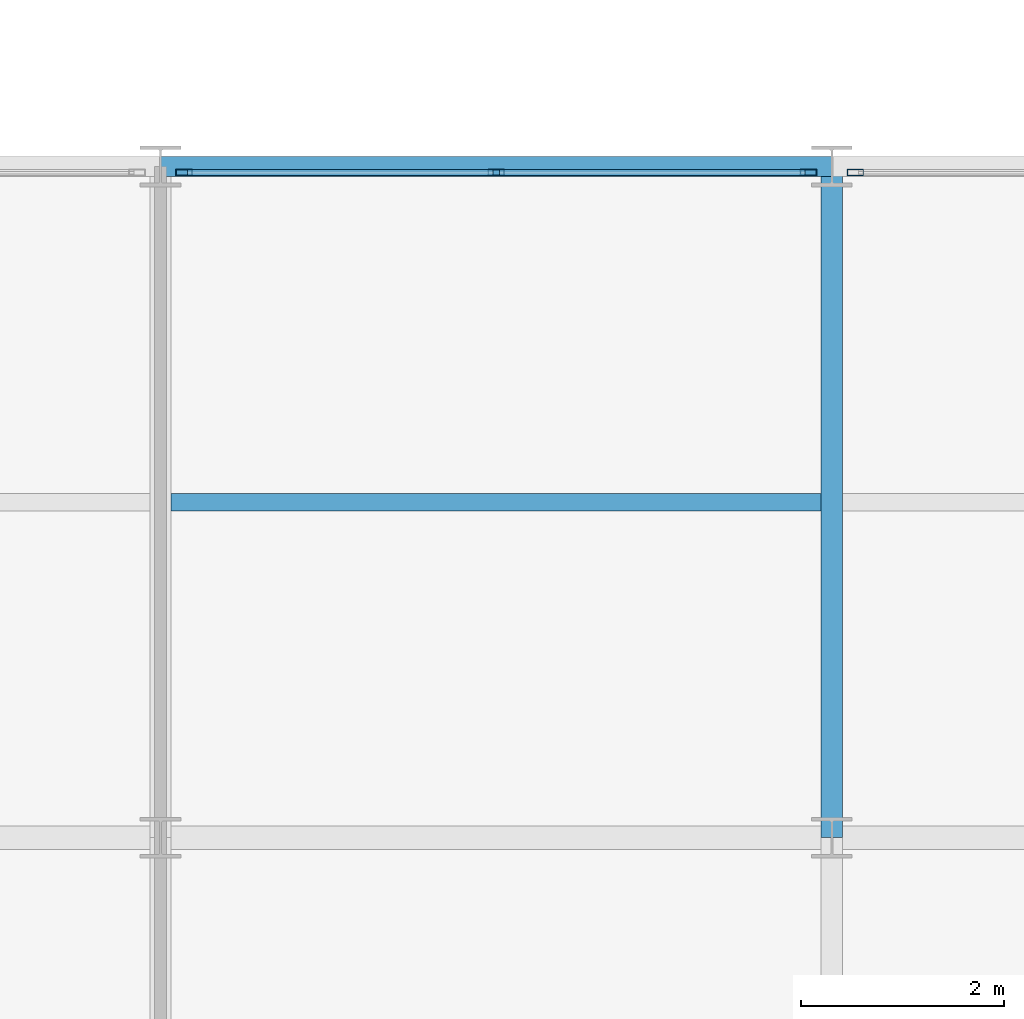
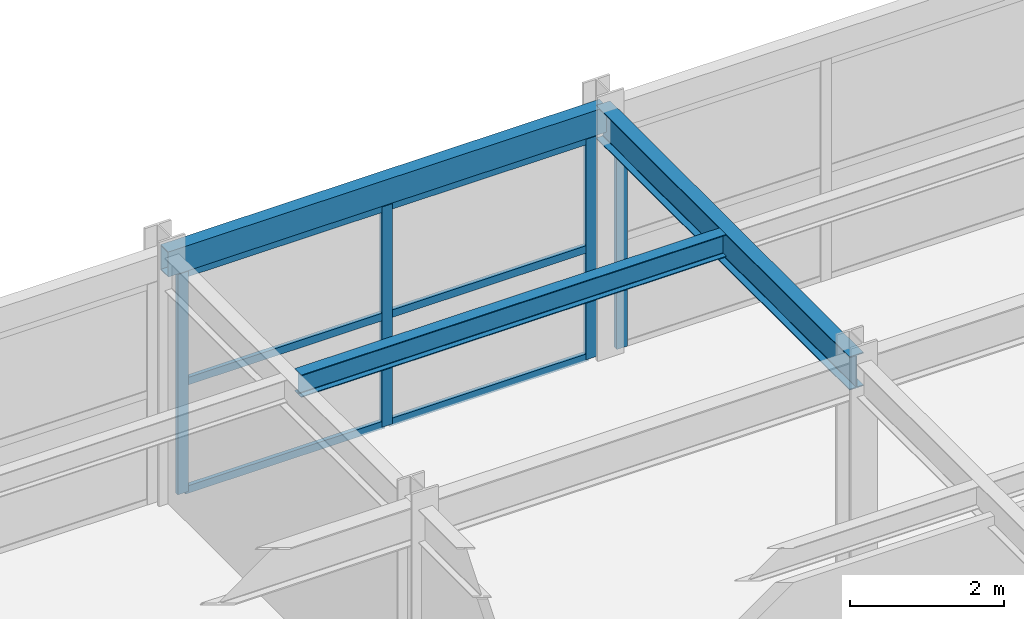
# One storey, part 67 of 157: 10 members, 3 beams, 2 elements without a shape of their own.
"""IFC4 building model written with IfcOpenShell, lengths in metres."""

import ifcopenshell
import ifcopenshell.guid

model = None  # the IFC model being written
_history = None  # IfcOwnerHistory: only IFC2X3 demands one
_inside = {}  # id of a spatial element -> (the spatial element, [elements in it])
_under = {}  # id of a project, library or spatial element -> (it, [spatial elements below it])
_declared = {}  # id of a project -> (the project, [libraries it declares])
_typed = {}  # id of a type object -> (the type object, [elements of that type])
_made_of = {}  # id of a material, layer set ... -> (it, [elements and type objects made of it])


def new_model(schema):
    """Start an empty IFC model of exactly this schema.

    Asked for "IFC4X3", IfcOpenShell would pick the latest addendum, in which some entities
    have other attributes; the version numbers below select the first issue.
    IFC2X3 requires an IfcOwnerHistory on every rooted entity: one is made here for all.
    """
    global model, _history
    if schema == "IFC4X3":
        model = ifcopenshell.file(schema_version=(4, 3, 0, 0))
    else:
        model = ifcopenshell.file(schema=schema)
    _inside.clear()
    _under.clear()
    _declared.clear()
    _typed.clear()
    _made_of.clear()
    _history = None
    if model.schema == "IFC2X3":
        org = make("IfcOrganization", Name="unknown")
        user = make(
            "IfcPersonAndOrganization",
            ThePerson=make("IfcPerson", FamilyName="unknown"),
            TheOrganization=org,
        )
        app = make(
            "IfcApplication",
            ApplicationDeveloper=org,
            Version="unknown",
            ApplicationFullName="unknown",
            ApplicationIdentifier="unknown",
        )
        _history = make(
            "IfcOwnerHistory",
            OwningUser=user,
            OwningApplication=app,
            ChangeAction="ADDED",
            CreationDate=0,
        )
    return model


def make(cls, **values):
    """One entity of the class cls with the attributes given. An attribute that is None is left unset."""
    return model.create_entity(
        cls, **{name: value for name, value in values.items() if value is not None}
    )


def rooted(cls, **values):
    """An entity with a GlobalId (a new one), such as an element, a storey or a relation."""
    return make(cls, GlobalId=ifcopenshell.guid.new(), OwnerHistory=_history, **values)


def si_unit(unit_type, name, prefix=None):
    """IfcSIUnit, for example si_unit("LENGTHUNIT", "METRE", prefix="MILLI")."""
    return make("IfcSIUnit", UnitType=unit_type, Prefix=prefix, Name=name)


def assignment(units):
    """IfcUnitAssignment: the units of a project."""
    return None if units is None else make("IfcUnitAssignment", Units=units)


def point(xyz):
    """IfcCartesianPoint."""
    return None if xyz is None else make("IfcCartesianPoint", Coordinates=xyz)


def direction(xyz):
    """IfcDirection."""
    return None if xyz is None else make("IfcDirection", DirectionRatios=xyz)


def frame(location, z_axis=None, x_axis=None):
    """IfcAxis2Placement3D, a coordinate frame: its origin and axes. An axis left out is left unset."""
    return make(
        "IfcAxis2Placement3D",
        Location=point(location),
        Axis=direction(z_axis),
        RefDirection=direction(x_axis),
    )


def frame_2d(location, x_axis=None):
    """IfcAxis2Placement2D, a coordinate frame in the plane: its origin and x axis."""
    return make(
        "IfcAxis2Placement2D", Location=point(location), RefDirection=direction(x_axis)
    )


def origin():
    """The frame at (0, 0, 0) with its axes left unset."""
    return frame((0.0, 0.0, 0.0))


def origin_2d():
    """The frame at (0, 0) in the plane with its x axis left unset."""
    return frame_2d((0.0, 0.0))


def place(relative_to, where):
    """IfcLocalPlacement: puts the frame where relative to a parent placement (None: the world)."""
    return make(
        "IfcLocalPlacement", PlacementRelTo=relative_to, RelativePlacement=where
    )


def context(
    kind, dimensions, precision=None, world=None, true_north=None, identifier=None
):
    """IfcGeometricRepresentationContext, for example the 3D "Model" context."""
    return make(
        "IfcGeometricRepresentationContext",
        ContextIdentifier=identifier,
        ContextType=kind,
        CoordinateSpaceDimension=dimensions,
        Precision=precision,
        WorldCoordinateSystem=world,
        TrueNorth=true_north,
    )


def subcontext(parent, identifier, kind, view, scale=None):
    """IfcGeometricRepresentationSubContext, for example "Body" below "Model"."""
    return make(
        "IfcGeometricRepresentationSubContext",
        ContextIdentifier=identifier,
        ContextType=kind,
        ParentContext=parent,
        TargetScale=scale,
        TargetView=view,
    )


def project(units=None, contexts=None):
    """IfcProject with its units and contexts."""
    return rooted(
        "IfcProject",
        Name="project",
        RepresentationContexts=contexts,
        UnitsInContext=assignment(units),
    )


def spatial(cls, under=None, at=None, **own):
    """A site, building, storey or space (cls), placed at a placement, below another one or the project."""
    s = rooted(cls, ObjectPlacement=at, **own)
    if under is not None:
        _under.setdefault(under.id(), (under, []))[1].append(s)
    return s


def profile(cls, at=None, kind="AREA", **sizes):
    """A parametric profile (cls). Its sizes go by their IFC names, for example OverallWidth=200.0."""
    return make(cls, ProfileType=kind, Position=at, **sizes)


def hollow_rectangle(**sizes):
    """IfcRectangleHollowProfileDef."""
    return profile("IfcRectangleHollowProfileDef", **sizes)


def i_section(**sizes):
    """IfcIShapeProfileDef."""
    return profile("IfcIShapeProfileDef", **sizes)


def extrude(swept, where, along, depth):
    """IfcExtrudedAreaSolid: the profile swept, set in the frame where, extruded along a direction by depth."""
    return make(
        "IfcExtrudedAreaSolid",
        SweptArea=swept,
        Position=where,
        ExtrudedDirection=direction(along),
        Depth=depth,
    )


def shape(context_of_items, identifier, shape_type, items):
    """IfcShapeRepresentation: the items that make up one representation, for example the "Body"."""
    return make(
        "IfcShapeRepresentation",
        ContextOfItems=context_of_items,
        RepresentationIdentifier=identifier,
        RepresentationType=shape_type,
        Items=items,
    )


def material(Name=None, Category=None):
    """IfcMaterial."""
    return make("IfcMaterial", Name=Name, Category=Category)


def material_profile(
    of_material, cross_section, Name=None, Category=None, Priority=None
):
    """IfcMaterialProfile: a cross section and its material."""
    return make(
        "IfcMaterialProfile",
        Name=Name,
        Material=of_material,
        Profile=cross_section,
        Priority=Priority,
        Category=Category,
    )


def profile_set(profiles, Name=None, composite=None):
    """IfcMaterialProfileSet."""
    return make(
        "IfcMaterialProfileSet",
        Name=Name,
        MaterialProfiles=profiles,
        CompositeProfile=composite,
    )


def made_of(thing, what):
    """Note that an element or type object is made of a material, layer set ...; save() writes the relation."""
    if what is not None:
        _made_of.setdefault(what.id(), (what, []))[1].append(thing)
    return thing


def type_object(cls, material=None, **own):
    """A type object (cls), such as IfcWallType, which elements share."""
    return made_of(rooted(cls, **own), material)


def element(
    cls,
    number,
    at=None,
    inside=None,
    cuts=None,
    type_object=None,
    material=None,
    context=None,
    identifier="Body",
    shape_type=None,
    held_by="IfcProductDefinitionShape",
    body=None,
    shapes=None,
    **own,
):
    """One element of the class cls, such as IfcWall. Its Tag is "e" and its number.

    at: its placement. inside: the storey or other place that contains it. cuts: it is an
    opening in that element (IfcRelVoidsElement). A single representation is given by context,
    identifier, shape_type and body (its items); several are given by shapes. held_by: the class
    of the entity that holds the representations. save() writes the other relations.
    """
    e = rooted(cls, Tag="e%d" % number, ObjectPlacement=at, **own)
    if body is not None:
        shapes = [shape(context, identifier, shape_type, body)]
    if shapes is not None:
        e.Representation = make(held_by, Representations=shapes)
    if inside is not None:
        _inside.setdefault(inside.id(), (inside, []))[1].append(e)
    if cuts is not None:
        rooted(
            "IfcRelVoidsElement", RelatingBuildingElement=cuts, RelatedOpeningElement=e
        )
    if type_object is not None:
        _typed.setdefault(type_object.id(), (type_object, []))[1].append(e)
    return made_of(e, material)


def aggregate(whole, parts):
    """IfcRelAggregates: a whole, such as a stair, and the parts it consists of."""
    return rooted("IfcRelAggregates", RelatingObject=whole, RelatedObjects=parts)


def save(model, path):
    """Write the relations noted so far, then the file.

    IfcRelAggregates (storeys below a building ...), IfcRelContainedInSpatialStructure (elements
    in a storey), IfcRelDefinesByType, IfcRelAssociatesMaterial and IfcRelDeclares: one each for
    every whole, place, type object, material and project.
    """
    for whole, parts in _under.values():
        aggregate(whole, parts)
    for where, things in _inside.values():
        rooted(
            "IfcRelContainedInSpatialStructure",
            RelatedElements=things,
            RelatingStructure=where,
        )
    for kind, things in _typed.values():
        rooted("IfcRelDefinesByType", RelatedObjects=things, RelatingType=kind)
    for what, things in _made_of.values():
        rooted("IfcRelAssociatesMaterial", RelatedObjects=things, RelatingMaterial=what)
    for by, libraries in _declared.values():
        rooted("IfcRelDeclares", RelatingContext=by, RelatedDefinitions=libraries)
    model.write(path)


model = new_model("IFC4")

# Units and contexts
model_context = context("Model", 3, precision=1e-05, world=origin(), true_north=direction((0.0, 1.0)))
body_context = subcontext(model_context, "Body", "Model", "MODEL_VIEW")
ifc_project = project(units=[si_unit("LENGTHUNIT", "METRE"), si_unit("AREAUNIT", "SQUARE_METRE"), si_unit("VOLUMEUNIT", "CUBIC_METRE"), si_unit("PLANEANGLEUNIT", "RADIAN"), si_unit("MASSUNIT", "GRAM", prefix="KILO")], contexts=[model_context])

# Site, building, storey
site_placement = place(None, origin())
site = spatial("IfcSite", under=ifc_project, at=site_placement, CompositionType="ELEMENT")
building_placement = place(site_placement, origin())
building = spatial("IfcBuilding", under=site, at=building_placement, Name="Karori Crest Natural Sciences Institute", CompositionType="ELEMENT")
storey_placement = place(building_placement, frame((0.0, 0.0, 13.300048828125)))
storey = spatial("IfcBuildingStorey", under=building, at=storey_placement, Name="L03", CompositionType="ELEMENT", Elevation=13.300048828125)

# Beams
ifc_material_1 = material(Name="Structural steel AS/NZS 3679.1 Grade 350", Category="steel")
ifc_material_profile_1 = material_profile(ifc_material_1, i_section(OverallWidth=0.208984375, OverallDepth=0.532958984375, WebThickness=0.01025390625, FlangeThickness=0.015625, FilletRadius=0.013916015625, at=origin_2d()), Name="530UB92.4")
ifc_profile_set_1 = profile_set([ifc_material_profile_1], Name="Structural steel AS/NZS 3679.1 Grade 350")
beam_type_1 = type_object("IfcBeamType", Name="BT-05", PredefinedType="BEAM", material=ifc_profile_set_1)
beam_1_placement = place(storey_placement, frame((123.39990234375, 14.0, 3.653564453125), z_axis=(0.0, 1.0, 0.0), x_axis=(-1.0, 0.0, 0.0)))
element("IfcBeam", 1, at=beam_1_placement, inside=storey, type_object=beam_type_1, Name="Beam B-2326", PredefinedType="BEAM", context=body_context, shape_type="SweptSolid", body=[
    extrude(i_section(OverallWidth=0.208984375, OverallDepth=0.532958984375, WebThickness=0.01025390625, FlangeThickness=0.015625, FilletRadius=0.013916015625, at=origin_2d()), origin(), (0.0, 0.0, 1.0), 6.60009765625),
])
ifc_material_profile_2 = material_profile(ifc_material_1, i_section(OverallWidth=0.172119140625, OverallDepth=0.35888671875, WebThickness=0.008056640625, FlangeThickness=0.012939453125, FilletRadius=0.010986328125, at=origin_2d()), Name="360UB56.7")
ifc_profile_set_2 = profile_set([ifc_material_profile_2], Name="Structural steel AS/NZS 3679.1 Grade 350")
beam_type_2 = type_object("IfcBeamType", Name="BT-08", PredefinedType="BEAM", material=ifc_profile_set_2)
beam_2_placement = place(storey_placement, frame((116.904541015625, 17.300048828125, 3.740478515625), z_axis=(1.0, 0.0, 0.0), x_axis=(0.0, 1.0, 0.0)))
element("IfcBeam", 2, at=beam_2_placement, inside=storey, type_object=beam_type_2, Name="Beam B-2351", PredefinedType="BEAM", context=body_context, shape_type="SweptSolid", body=[
    extrude(i_section(OverallWidth=0.172119140625, OverallDepth=0.35888671875, WebThickness=0.008056640625, FlangeThickness=0.012939453125, FilletRadius=0.010986328125, at=origin_2d()), origin(), (0.0, 0.0, 1.0), 6.390869140625),
])
ifc_material_2 = material(Name="Hollow structural steel AS/NZS 1163 Grade C350", Category="steel")
ifc_material_profile_3 = material_profile(ifc_material_2, hollow_rectangle(XDim=0.199951171875, YDim=0.39990234375, WallThickness=0.012451171875, at=origin_2d()), Name="RHS400x200x12.5")
ifc_profile_set_3 = profile_set([ifc_material_profile_3], Name="Hollow structural steel AS/NZS 1163 Grade C350")
beam_type_3 = type_object("IfcBeamType", Name="BT-14", PredefinedType="SPANDREL", material=ifc_profile_set_3)
beam_3_placement = place(storey_placement, frame((116.800048828125, 20.60009765625, 3.719970703125), z_axis=(1.0, 0.0, 0.0), x_axis=(0.0, 1.0, 0.0)))
element("IfcBeam", 3, at=beam_3_placement, inside=storey, type_object=beam_type_3, Name="Beam B-2308", PredefinedType="SPANDREL", context=body_context, shape_type="SweptSolid", body=[
    extrude(hollow_rectangle(XDim=0.199951171875, YDim=0.39990234375, WallThickness=0.012451171875, at=origin_2d()), origin(), (0.0, 0.0, 1.0), 6.599853515625),
])

# Curtain wall, members
ifc_material_3 = material(Name="Anodised architectural aluminium 6063-T6", Category="aluminium")
curtain_wall_type = type_object("IfcCurtainWallType", Name="CWT-20", PredefinedType="NOTDEFINED", material=ifc_material_3)
curtain_wall_1_placement = place(storey_placement, origin())
curtain_wall_1 = element("IfcCurtainWall", 4, at=curtain_wall_1_placement, inside=storey, type_object=curtain_wall_type, Name="Curtain wall CW-0324", PredefinedType="NOTDEFINED")
ifc_material_profile_4 = material_profile(ifc_material_3, hollow_rectangle(XDim=0.06494140625, YDim=0.159912109375, WallThickness=0.00390625, at=origin_2d()), Name="CWM160x65x4")
ifc_profile_set_4 = profile_set([ifc_material_profile_4], Name="Anodised architectural aluminium 6063-T6")
member_type_1 = type_object("IfcMemberType", Name="CWM-01", PredefinedType="MULLION", material=ifc_profile_set_4)
member_1_placement = place(storey_placement, frame((117.030517578125, 20.5400390625, 0.0), z_axis=(0.0, 0.0, 1.0), x_axis=(0.0, 1.0, 0.0)))
member_1 = element("IfcMember", 5, at=member_1_placement, type_object=member_type_1, Name="CW-0324 mullion 1", PredefinedType="MULLION", context=body_context, shape_type="SweptSolid", body=[
    extrude(hollow_rectangle(XDim=0.06494140625, YDim=0.159912109375, WallThickness=0.00390625, at=origin_2d()), origin(), (0.0, 0.0, 1.0), 3.5048828125),
])
member_2_placement = place(storey_placement, frame((120.10009765625, 20.5400390625, 0.0), z_axis=(0.0, 0.0, 1.0), x_axis=(0.0, 1.0, 0.0)))
member_2 = element("IfcMember", 6, at=member_2_placement, type_object=member_type_1, Name="CW-0324 mullion 2", PredefinedType="MULLION", context=body_context, shape_type="SweptSolid", body=[
    extrude(hollow_rectangle(XDim=0.06494140625, YDim=0.159912109375, WallThickness=0.00390625, at=origin_2d()), origin(), (0.0, 0.0, 1.0), 3.5048828125),
])
member_3_placement = place(storey_placement, frame((123.16943359375, 20.5400390625, 0.0), z_axis=(0.0, 0.0, 1.0), x_axis=(0.0, 1.0, 0.0)))
member_3 = element("IfcMember", 7, at=member_3_placement, type_object=member_type_1, Name="CW-0324 mullion 3", PredefinedType="MULLION", context=body_context, shape_type="SweptSolid", body=[
    extrude(hollow_rectangle(XDim=0.06494140625, YDim=0.159912109375, WallThickness=0.00390625, at=origin_2d()), origin(), (0.0, 0.0, 1.0), 3.5048828125),
])

# Curtain wall, member
curtain_wall_2_placement = place(storey_placement, origin())
curtain_wall_2 = element("IfcCurtainWall", 8, at=curtain_wall_2_placement, inside=storey, type_object=curtain_wall_type, Name="Curtain wall CW-0325", PredefinedType="NOTDEFINED")
member_4_placement = place(storey_placement, frame((123.630615234375, 20.5400390625, 0.0), z_axis=(0.0, 0.0, 1.0), x_axis=(0.0, 1.0, 0.0)))
member_4 = element("IfcMember", 9, at=member_4_placement, type_object=member_type_1, Name="CW-0325 mullion 1", PredefinedType="MULLION", context=body_context, shape_type="SweptSolid", body=[
    extrude(hollow_rectangle(XDim=0.06494140625, YDim=0.159912109375, WallThickness=0.00390625, at=origin_2d()), origin(), (0.0, 0.0, 1.0), 3.5048828125),
])
aggregate(curtain_wall_2, [member_4])

# Member
ifc_material_profile_5 = material_profile(ifc_material_3, hollow_rectangle(XDim=0.06005859375, YDim=0.1201171875, WallThickness=0.00390625, at=origin_2d()), Name="CWT120x60x4")
ifc_profile_set_5 = profile_set([ifc_material_profile_5], Name="Anodised architectural aluminium 6063-T6")
member_type_2 = type_object("IfcMemberType", Name="CWT-TR1", PredefinedType="USERDEFINED", material=ifc_profile_set_5)
member_5_placement = place(storey_placement, frame((117.06298828125, 20.5400390625, 0.030029296875), z_axis=(1.0, 0.0, 0.0), x_axis=(0.0, 1.0, 0.0)))
member_5 = element("IfcMember", 10, at=member_5_placement, type_object=member_type_2, Name="CW-0324 transom 1.1", ObjectType="TRANSOM", PredefinedType="USERDEFINED", context=body_context, shape_type="SweptSolid", body=[
    extrude(hollow_rectangle(XDim=0.06005859375, YDim=0.1201171875, WallThickness=0.00390625, at=origin_2d()), origin(), (0.0, 0.0, 1.0), 3.00439453125),
])

member_6_placement = place(storey_placement, frame((117.06298828125, 20.5400390625, 1.75244140625), z_axis=(1.0, 0.0, 0.0), x_axis=(0.0, 1.0, 0.0)))
member_6 = element("IfcMember", 11, at=member_6_placement, type_object=member_type_2, Name="CW-0324 transom 1.2", ObjectType="TRANSOM", PredefinedType="USERDEFINED", context=body_context, shape_type="SweptSolid", body=[
    extrude(hollow_rectangle(XDim=0.06005859375, YDim=0.1201171875, WallThickness=0.00390625, at=origin_2d()), origin(), (0.0, 0.0, 1.0), 3.00439453125),
])

member_7_placement = place(storey_placement, frame((117.06298828125, 20.5400390625, 3.474853515625), z_axis=(1.0, 0.0, 0.0), x_axis=(0.0, 1.0, 0.0)))
member_7 = element("IfcMember", 12, at=member_7_placement, type_object=member_type_2, Name="CW-0324 transom 1.3", ObjectType="TRANSOM", PredefinedType="USERDEFINED", context=body_context, shape_type="SweptSolid", body=[
    extrude(hollow_rectangle(XDim=0.06005859375, YDim=0.1201171875, WallThickness=0.00390625, at=origin_2d()), origin(), (0.0, 0.0, 1.0), 3.00439453125),
])

member_8_placement = place(storey_placement, frame((120.132568359375, 20.5400390625, 0.030029296875), z_axis=(1.0, 0.0, 0.0), x_axis=(0.0, 1.0, 0.0)))
member_8 = element("IfcMember", 13, at=member_8_placement, type_object=member_type_2, Name="CW-0324 transom 2.1", ObjectType="TRANSOM", PredefinedType="USERDEFINED", context=body_context, shape_type="SweptSolid", body=[
    extrude(hollow_rectangle(XDim=0.06005859375, YDim=0.1201171875, WallThickness=0.00390625, at=origin_2d()), origin(), (0.0, 0.0, 1.0), 3.00439453125),
])

member_9_placement = place(storey_placement, frame((120.132568359375, 20.5400390625, 1.75244140625), z_axis=(1.0, 0.0, 0.0), x_axis=(0.0, 1.0, 0.0)))
member_9 = element("IfcMember", 14, at=member_9_placement, type_object=member_type_2, Name="CW-0324 transom 2.2", ObjectType="TRANSOM", PredefinedType="USERDEFINED", context=body_context, shape_type="SweptSolid", body=[
    extrude(hollow_rectangle(XDim=0.06005859375, YDim=0.1201171875, WallThickness=0.00390625, at=origin_2d()), origin(), (0.0, 0.0, 1.0), 3.00439453125),
])

member_10_placement = place(storey_placement, frame((120.132568359375, 20.5400390625, 3.474853515625), z_axis=(1.0, 0.0, 0.0), x_axis=(0.0, 1.0, 0.0)))
member_10 = element("IfcMember", 15, at=member_10_placement, type_object=member_type_2, Name="CW-0324 transom 2.3", ObjectType="TRANSOM", PredefinedType="USERDEFINED", context=body_context, shape_type="SweptSolid", body=[
    extrude(hollow_rectangle(XDim=0.06005859375, YDim=0.1201171875, WallThickness=0.00390625, at=origin_2d()), origin(), (0.0, 0.0, 1.0), 3.00439453125),
])

aggregate(curtain_wall_1, [member_1, member_2, member_3, member_5, member_6, member_7, member_8, member_9, member_10])

save(model, "model.ifc")
